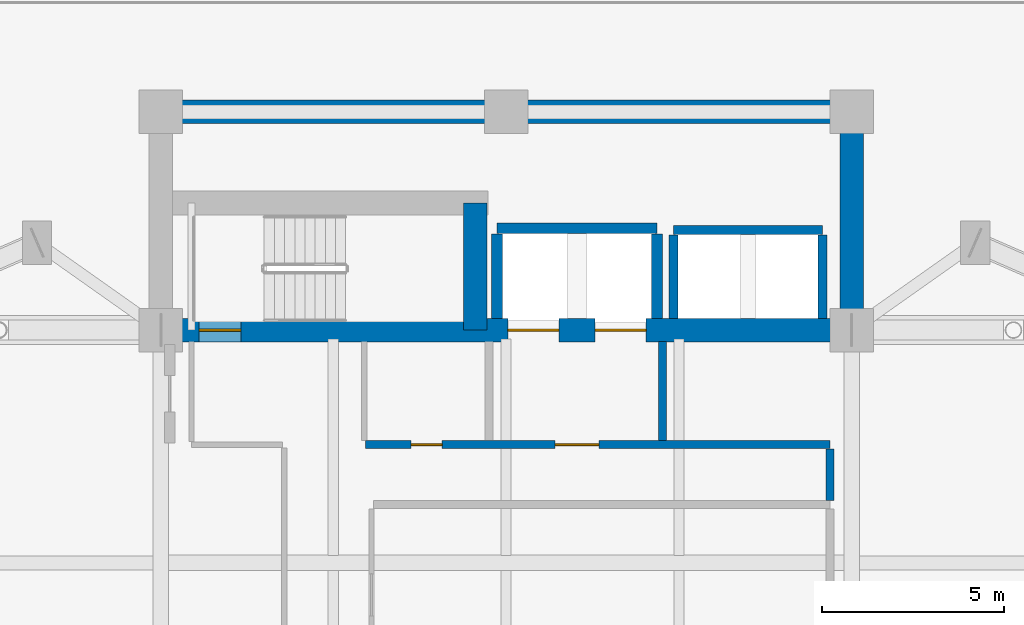
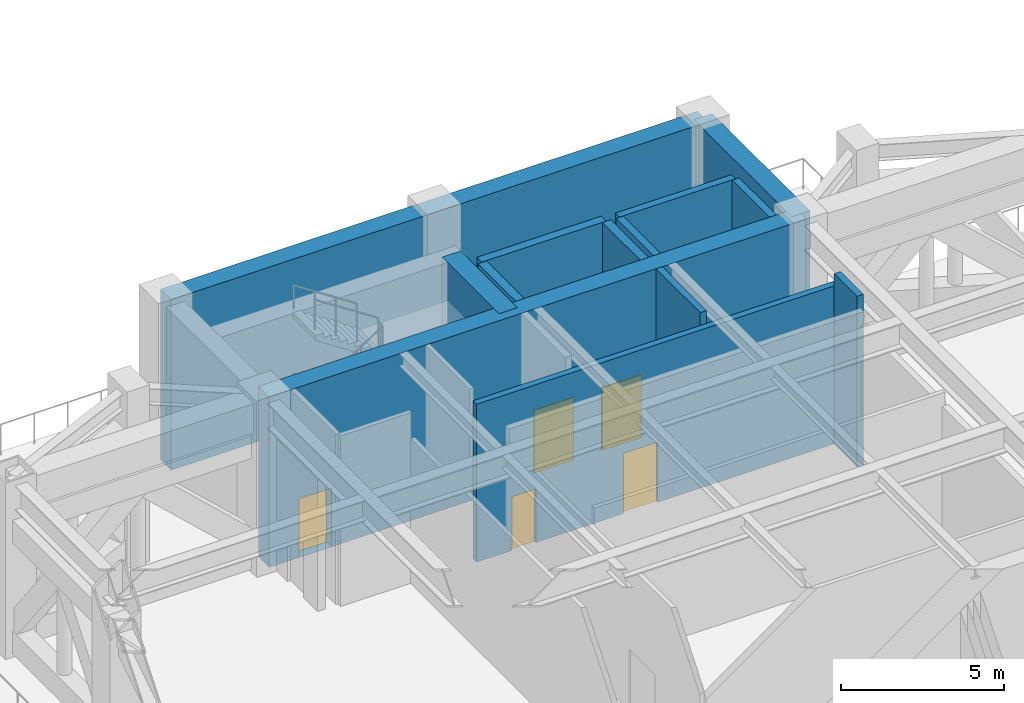
# One storey, part 12 of 21: 13 walls, 5 doors, 5 openings.
"""IFC4 building model written with IfcOpenShell, lengths in metres."""

from ifc_helpers import new_model, si_unit, direction, frame, frame_2d, origin, place, context, subcontext, project, spatial, rectangle, extrude, material, layer, layer_set, type_object, element, fill, save


model = new_model("IFC4")

# Units and contexts
model_context = context("Model", 3, precision=1e-05, world=origin(), true_north=direction((0.0, 1.0)))
body_context = subcontext(model_context, "Body", "Model", "MODEL_VIEW")
ifc_project = project(units=[si_unit("LENGTHUNIT", "METRE"), si_unit("AREAUNIT", "SQUARE_METRE"), si_unit("VOLUMEUNIT", "CUBIC_METRE"), si_unit("PLANEANGLEUNIT", "RADIAN"), si_unit("MASSUNIT", "GRAM", prefix="KILO")], contexts=[model_context])

# Site, building, storey
site_placement = place(None, origin())
site = spatial("IfcSite", under=ifc_project, at=site_placement, CompositionType="ELEMENT")
building_placement = place(site_placement, origin())
building = spatial("IfcBuilding", under=site, at=building_placement, Name="Mirazonda Arch Towers", CompositionType="ELEMENT")
storey_placement = place(building_placement, frame((0.0, 0.0, 81.800048828125)))
storey = spatial("IfcBuildingStorey", under=building, at=storey_placement, Name="L23", CompositionType="ELEMENT", Elevation=81.800048828125)

# Walls
ifc_material_1 = material(Name="Concrete C60/75", Category="concrete")
ifc_layer_1 = layer(ifc_material_1, 0.64990234375, Name="WALL-CORE-650")
ifc_layer_set_1 = layer_set([ifc_layer_1], Name="Concrete C60/75")
wall_type_1 = type_object("IfcWallType", Name="WALL-CORE-650", PredefinedType="SHEAR", material=ifc_layer_set_1)
wall_1_placement = place(storey_placement, frame((11.0, 43.60009765625, 0.0), z_axis=(0.0, 0.0, 1.0), x_axis=(1.0, 0.0, 0.0)))
element("IfcWall", 1, at=wall_1_placement, inside=storey, type_object=wall_type_1, Name="L23 T1N-N Core Shear Wall", PredefinedType="SHEAR", context=body_context, shape_type="SweptSolid", body=[
    extrude(rectangle(XDim=19.0, YDim=0.64990234375, at=frame_2d((9.5, 0.0))), origin(), (0.0, 0.0, 1.0), 6.3798828125),
])
wall_2_placement = place(storey_placement, frame((30.0, 37.60009765625, 0.0), z_axis=(0.0, 0.0, 1.0), x_axis=(0.0, 1.0, 0.0)))
element("IfcWall", 2, at=wall_2_placement, inside=storey, type_object=wall_type_1, Name="L23 T1N-E Core Shear Wall", PredefinedType="SHEAR", context=body_context, shape_type="SweptSolid", body=[
    extrude(rectangle(XDim=6.0, YDim=0.64990234375, at=frame_2d((3.0, 0.0))), origin(), (0.0, 0.0, 1.0), 6.3798828125),
])

# Wall, openings, doors
wall_3_placement = place(storey_placement, frame((11.0, 37.60009765625, 0.0), z_axis=(0.0, 0.0, 1.0), x_axis=(1.0, 0.0, 0.0)))
wall_3 = element("IfcWall", 3, at=wall_3_placement, inside=storey, type_object=wall_type_1, Name="L23 T1N-S Core Shear Wall", PredefinedType="SHEAR", context=body_context, shape_type="SweptSolid", body=[
    extrude(rectangle(XDim=19.0, YDim=0.64990234375, at=frame_2d((9.5, 0.0))), origin(), (0.0, 0.0, 1.0), 6.3798828125),
])
opening_1_placement = place(wall_3_placement, frame((1.06005859375, 0.0, 0.0)))
opening_1 = element("IfcOpeningElement", 4, at=opening_1_placement, cuts=wall_3, Name="Opening DR-135", PredefinedType="OPENING", context=body_context, shape_type="SweptSolid", body=[
    extrude(rectangle(XDim=1.14990234375, YDim=2.199951171875, at=frame_2d((0.574951171875, 1.10009765625))), frame((0.0, 0.3349609375, 0.0), z_axis=(0.0, -1.0, 0.0), x_axis=(1.0, 0.0, 0.0)), (0.0, 0.0, 1.0), 0.669921875),
])
opening_2_placement = place(wall_3_placement, frame((9.550048828125, 0.0, 0.0)))
opening_2 = element("IfcOpeningElement", 5, at=opening_2_placement, cuts=wall_3, Name="Opening LD-112", PredefinedType="OPENING", context=body_context, shape_type="SweptSolid", body=[
    extrude(rectangle(XDim=1.39990234375, YDim=2.35009765625, at=frame_2d((0.699951171875, 1.175048828125))), frame((0.0, 0.3349609375, 0.0), z_axis=(0.0, -1.0, 0.0), x_axis=(1.0, 0.0, 0.0)), (0.0, 0.0, 1.0), 0.669921875),
])
opening_3_placement = place(wall_3_placement, frame((11.949951171875, 0.0, 0.0)))
opening_3 = element("IfcOpeningElement", 6, at=opening_3_placement, cuts=wall_3, Name="Opening LD-112", PredefinedType="OPENING", context=body_context, shape_type="SweptSolid", body=[
    extrude(rectangle(XDim=1.39990234375, YDim=2.35009765625, at=frame_2d((0.699951171875, 1.175048828125))), frame((0.0, 0.3349609375, 0.0), z_axis=(0.0, -1.0, 0.0), x_axis=(1.0, 0.0, 0.0)), (0.0, 0.0, 1.0), 0.669921875),
])
ifc_material_2 = material(Name="Architectural Brushed Steel S355", Category="steel")
door_type_1 = type_object("IfcDoorType", Name="DOOR-LIFT-FFL-1400", OperationType="NOTDEFINED", PredefinedType="DOOR", material=ifc_material_2)
door_1_placement = place(opening_2_placement, origin())
door_1 = element("IfcDoor", 7, at=door_1_placement, inside=storey, type_object=door_type_1, Name="L23 Lift Landing Sliding Door FFL-T1", OperationType="DOUBLE_DOOR_SLIDING", OverallHeight=2.35009765625, OverallWidth=1.39990234375, PredefinedType="DOOR", context=body_context, shape_type="SweptSolid", body=[
    extrude(rectangle(XDim=1.39990234375, YDim=2.35009765625, at=frame_2d((0.699951171875, 1.175048828125))), frame((0.0, 0.02490234375, 0.0), z_axis=(0.0, -1.0, 0.0), x_axis=(1.0, 0.0, 0.0)), (0.0, 0.0, 1.0), 0.050048828125),
])
fill(opening_2, door_1)
door_2_placement = place(opening_3_placement, origin())
door_2 = element("IfcDoor", 8, at=door_2_placement, inside=storey, type_object=door_type_1, Name="L23 Lift Landing Sliding Door SVL-T1", OperationType="DOUBLE_DOOR_SLIDING", OverallHeight=2.35009765625, OverallWidth=1.39990234375, PredefinedType="DOOR", context=body_context, shape_type="SweptSolid", body=[
    extrude(rectangle(XDim=1.39990234375, YDim=2.35009765625, at=frame_2d((0.699951171875, 1.175048828125))), frame((0.0, 0.02490234375, 0.0), z_axis=(0.0, -1.0, 0.0), x_axis=(1.0, 0.0, 0.0)), (0.0, 0.0, 1.0), 0.050048828125),
])
fill(opening_3, door_2)
door_type_2 = type_object("IfcDoorType", Name="DOOR-STAIR-FD90-1150", OperationType="NOTDEFINED", PredefinedType="DOOR", material=ifc_material_2)
door_3_placement = place(opening_1_placement, origin())
door_3 = element("IfcDoor", 9, at=door_3_placement, inside=storey, type_object=door_type_2, Name="L23 Protected Exit Stair North Door", OperationType="SINGLE_SWING_RIGHT", OverallHeight=2.199951171875, OverallWidth=1.14990234375, PredefinedType="DOOR", context=body_context, shape_type="SweptSolid", body=[
    extrude(rectangle(XDim=1.14990234375, YDim=2.199951171875, at=frame_2d((0.574951171875, 1.10009765625))), frame((0.0, 0.02490234375, 0.0), z_axis=(0.0, -1.0, 0.0), x_axis=(1.0, 0.0, 0.0)), (0.0, 0.0, 1.0), 0.050048828125),
])
fill(opening_1, door_3)

# Wall
wall_4_placement = place(storey_placement, frame((19.64990234375, 37.60009765625, 0.0), z_axis=(0.0, 0.0, 1.0), x_axis=(0.0, 1.0, 0.0)))
element("IfcWall", 10, at=wall_4_placement, inside=storey, type_object=wall_type_1, Name="L23 T1N-STE Core Shear Wall", PredefinedType="SHEAR", context=body_context, shape_type="SweptSolid", body=[
    extrude(rectangle(XDim=3.492919921875, YDim=0.64990234375, at=frame_2d((1.74658203125, 0.0))), origin(), (0.0, 0.0, 1.0), 6.3798828125),
])

# Wall, openings, doors
ifc_material_3 = material(Name="Concrete C40/50", Category="concrete")
ifc_layer_2 = layer(ifc_material_3, 0.219970703125, Name="WALL-FFL-220")
ifc_layer_set_2 = layer_set([ifc_layer_2], Name="Concrete C40/50")
wall_type_2 = type_object("IfcWallType", Name="WALL-FFL-220", PredefinedType="SOLIDWALL", material=ifc_layer_set_2)
wall_5_placement = place(storey_placement, frame((16.639892578125, 34.449951171875, 0.0), z_axis=(0.0, 0.0, 1.0), x_axis=(1.0, 0.0, 0.0)))
wall_5 = element("IfcWall", 11, at=wall_5_placement, inside=storey, type_object=wall_type_2, Name="L23 Interior Partition 018", PredefinedType="SOLIDWALL", context=body_context, shape_type="SweptSolid", body=[
    extrude(rectangle(XDim=12.760009765625, YDim=0.219970703125, at=frame_2d((6.3798828125, 0.0))), origin(), (0.0, 0.0, 1.0), 5.908935546875),
])
opening_4_placement = place(wall_5_placement, frame((5.2099609375, 0.0, 0.0)))
opening_4 = element("IfcOpeningElement", 12, at=opening_4_placement, cuts=wall_5, Name="Opening DR-117", PredefinedType="OPENING", context=body_context, shape_type="SweptSolid", body=[
    extrude(rectangle(XDim=1.199951171875, YDim=2.25, at=frame_2d((0.60009765625, 1.125))), frame((0.0, 0.119873046875, 0.0), z_axis=(0.0, -1.0, 0.0), x_axis=(1.0, 0.0, 0.0)), (0.0, 0.0, 1.0), 0.239990234375),
])
opening_5_placement = place(wall_5_placement, frame((1.25, 0.0, 0.0)))
opening_5 = element("IfcOpeningElement", 13, at=opening_5_placement, cuts=wall_5, Name="Opening DR-128", PredefinedType="OPENING", context=body_context, shape_type="SweptSolid", body=[
    extrude(rectangle(XDim=0.85009765625, YDim=2.010009765625, at=frame_2d((0.425048828125, 1.0048828125))), frame((0.0, 0.119873046875, 0.0), z_axis=(0.0, -1.0, 0.0), x_axis=(1.0, 0.0, 0.0)), (0.0, 0.0, 1.0), 0.239990234375),
])
door_type_3 = type_object("IfcDoorType", Name="DOOR-FFL-FD90-1200", OperationType="NOTDEFINED", PredefinedType="DOOR", material=ifc_material_2)
door_4_placement = place(opening_4_placement, origin())
door_4 = element("IfcDoor", 14, at=door_4_placement, inside=storey, type_object=door_type_3, Name="L23 Firefighting Lift Lobby Door", OperationType="SINGLE_SWING_LEFT", OverallHeight=2.25, OverallWidth=1.199951171875, PredefinedType="DOOR", context=body_context, shape_type="SweptSolid", body=[
    extrude(rectangle(XDim=1.199951171875, YDim=2.25, at=frame_2d((0.60009765625, 1.125))), frame((0.0, 0.02490234375, 0.0), z_axis=(0.0, -1.0, 0.0), x_axis=(1.0, 0.0, 0.0)), (0.0, 0.0, 1.0), 0.050048828125),
])
fill(opening_4, door_4)
door_type_4 = type_object("IfcDoorType", Name="DOOR-RISER-FD60-850", OperationType="NOTDEFINED", PredefinedType="DOOR", material=ifc_material_2)
door_5_placement = place(opening_5_placement, origin())
door_5 = element("IfcDoor", 15, at=door_5_placement, inside=storey, type_object=door_type_4, Name="L23 Electrical & Housekeeping Service Room Door", OperationType="SINGLE_SWING_RIGHT", OverallHeight=2.010009765625, OverallWidth=0.85009765625, PredefinedType="DOOR", context=body_context, shape_type="SweptSolid", body=[
    extrude(rectangle(XDim=0.85009765625, YDim=2.010009765625, at=frame_2d((0.425048828125, 1.0048828125))), frame((0.0, 0.02490234375, 0.0), z_axis=(0.0, -1.0, 0.0), x_axis=(1.0, 0.0, 0.0)), (0.0, 0.0, 1.0), 0.050048828125),
])
fill(opening_5, door_5)

# Walls
wall_6_placement = place(storey_placement, frame((24.800048828125, 34.570068359375, 0.0), z_axis=(0.0, 0.0, 1.0), x_axis=(0.0, 1.0, 0.0)))
element("IfcWall", 16, at=wall_6_placement, inside=storey, type_object=wall_type_2, Name="L23 Interior Partition 037", PredefinedType="SOLIDWALL", context=body_context, shape_type="SweptSolid", body=[
    extrude(rectangle(XDim=2.7099609375, YDim=0.219970703125, at=frame_2d((1.35498046875, 0.0))), origin(), (0.0, 0.0, 1.0), 6.3798828125),
])
wall_7_placement = place(storey_placement, frame((29.39990234375, 32.919921875, 0.0), z_axis=(0.0, 0.0, 1.0), x_axis=(0.0, 1.0, 0.0)))
element("IfcWall", 17, at=wall_7_placement, inside=storey, type_object=wall_type_2, Name="L23 Interior Partition 044", PredefinedType="SOLIDWALL", context=body_context, shape_type="SweptSolid", body=[
    extrude(rectangle(XDim=1.41015625, YDim=0.219970703125, at=frame_2d((0.705078125, 0.0))), origin(), (0.0, 0.0, 1.0), 6.3798828125),
])
ifc_layer_3 = layer(ifc_material_3, 0.25, Name="WALL-SHAFT-250")
ifc_layer_set_3 = layer_set([ifc_layer_3], Name="Concrete C40/50")
wall_type_3 = type_object("IfcWallType", Name="WALL-SHAFT-250", PredefinedType="SOLIDWALL", material=ifc_layer_set_3)
wall_8_placement = place(storey_placement, frame((25.10009765625, 40.35009765625, 0.0), z_axis=(0.0, 0.0, 1.0), x_axis=(1.0, 0.0, 0.0)))
element("IfcWall", 18, at=wall_8_placement, inside=storey, type_object=wall_type_3, Name="L23 Interior Partition 022", PredefinedType="SOLIDWALL", context=body_context, shape_type="SweptSolid", body=[
    extrude(rectangle(XDim=4.099853515625, YDim=0.25, at=frame_2d((2.0498046875, 0.0))), origin(), (0.0, 0.0, 1.0), 6.3798828125),
])
for number, where, z_axis, x_axis, name in (
    (19, (25.10009765625, 37.919921875, 0.0), (0.0, 0.0, 1.0), (0.0, 1.0, 0.0), "L23 Interior Partition 038"),
    (20, (29.199951171875, 37.919921875, 0.0), (0.0, 0.0, 1.0), (0.0, 1.0, 0.0), "L23 Interior Partition 040"),
):
    element("IfcWall", number, at=place(storey_placement, frame(where, z_axis=z_axis, x_axis=x_axis)), inside=storey, type_object=wall_type_3, Name=name, PredefinedType="SOLIDWALL", context=body_context, shape_type="SweptSolid", body=[
        extrude(rectangle(XDim=2.295166015625, YDim=0.25, at=frame_2d((1.1474609375, 0.0))), origin(), (0.0, 0.0, 1.0), 6.3798828125),
    ])
ifc_material_4 = material(Name="Concrete C50/60", Category="concrete")
ifc_layer_4 = layer(ifc_material_4, 0.300048828125, Name="WALL-SHAFT-300")
ifc_layer_set_4 = layer_set([ifc_layer_4], Name="Concrete C50/60")
wall_type_4 = type_object("IfcWallType", Name="WALL-SHAFT-300", PredefinedType="SOLIDWALL", material=ifc_layer_set_4)
wall_9_placement = place(storey_placement, frame((20.25, 40.39990234375, 0.0), z_axis=(0.0, 0.0, 1.0), x_axis=(1.0, 0.0, 0.0)))
element("IfcWall", 21, at=wall_9_placement, inside=storey, type_object=wall_type_4, Name="L23 Interior Partition 023", PredefinedType="SOLIDWALL", context=body_context, shape_type="SweptSolid", body=[
    extrude(rectangle(XDim=4.39990234375, YDim=0.300048828125, at=frame_2d((2.199951171875, 0.0))), origin(), (0.0, 0.0, 1.0), 6.3798828125),
])
for number, where, z_axis, x_axis, name in (
    (22, (20.25, 37.919921875, 0.0), (0.0, 0.0, 1.0), (0.0, 1.0, 0.0), "L23 Interior Partition 033"),
    (23, (24.64990234375, 37.919921875, 0.0), (0.0, 0.0, 1.0), (0.0, 1.0, 0.0), "L23 Interior Partition 035"),
):
    element("IfcWall", number, at=place(storey_placement, frame(where, z_axis=z_axis, x_axis=x_axis)), inside=storey, type_object=wall_type_4, Name=name, PredefinedType="SOLIDWALL", context=body_context, shape_type="SweptSolid", body=[
        extrude(rectangle(XDim=2.320068359375, YDim=0.300048828125, at=frame_2d((1.16015625, 0.0))), origin(), (0.0, 0.0, 1.0), 6.3798828125),
    ])

save(model, "model.ifc")
